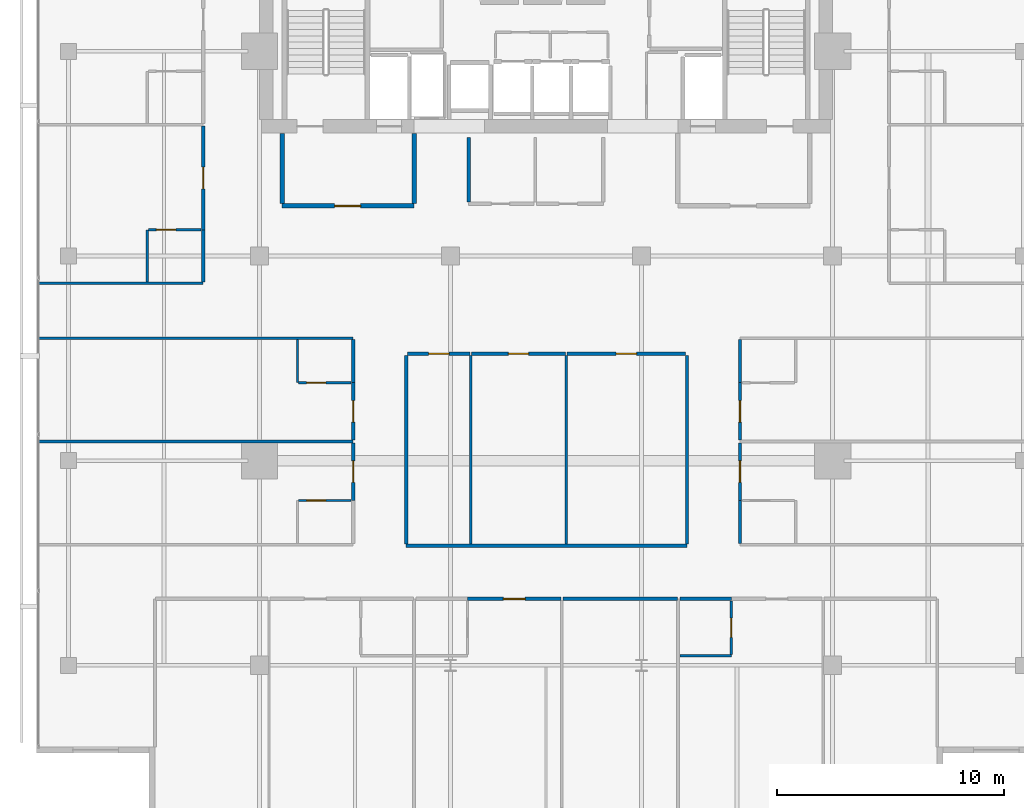
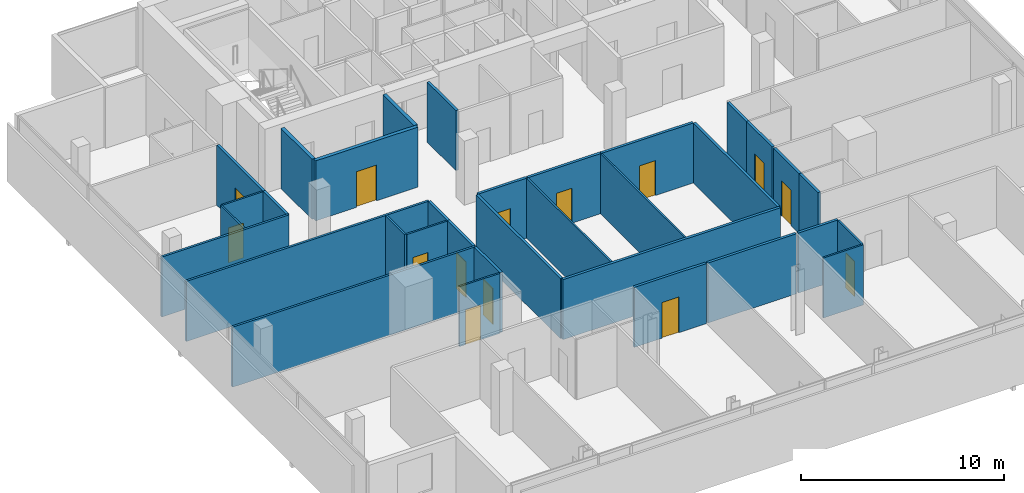
# One storey, part 20 of 26: 34 walls, 14 doors, 14 openings.
"""IFC4 building model written with IfcOpenShell, lengths in metres."""

from ifc_helpers import new_model, si_unit, direction, frame, frame_2d, origin, place, context, subcontext, project, spatial, rectangle, extrude, material, layer, layer_set, type_object, element, fill, save


model = new_model("IFC4")

# Units and contexts
model_context = context("Model", 3, precision=1e-05, world=origin(), true_north=direction((0.0, 1.0)))
body_context = subcontext(model_context, "Body", "Model", "MODEL_VIEW")
ifc_project = project(units=[si_unit("LENGTHUNIT", "METRE"), si_unit("AREAUNIT", "SQUARE_METRE"), si_unit("VOLUMEUNIT", "CUBIC_METRE"), si_unit("PLANEANGLEUNIT", "RADIAN"), si_unit("MASSUNIT", "GRAM", prefix="KILO")], contexts=[model_context])

# Site, building, storey
site_placement = place(None, origin())
site = spatial("IfcSite", under=ifc_project, at=site_placement, CompositionType="ELEMENT")
building_placement = place(site_placement, origin())
building = spatial("IfcBuilding", under=site, at=building_placement, Name="Maruvema Waterfront Hotel and Observation Tower", CompositionType="ELEMENT")
storey_placement = place(building_placement, frame((0.0, 0.0, 301.0)))
storey = spatial("IfcBuildingStorey", under=building, at=storey_placement, Name="L74", CompositionType="ELEMENT", Elevation=301.0)

# Walls
ifc_material_1 = material(Name="Twin-stud acoustic gypsum drywall", Category="gypsum")
ifc_layer_1 = layer(ifc_material_1, 0.14990234375, Name="Acoustic Corridor and Suite Demising Wall 150 mm")
ifc_layer_set_1 = layer_set([ifc_layer_1], Name="Twin-stud acoustic gypsum drywall")
wall_type_1 = type_object("IfcWallType", Name="Acoustic Corridor and Suite Demising Wall 150 mm", PredefinedType="PARTITIONING", material=ifc_layer_set_1)
wall_1_placement = place(storey_placement, frame((34.39990234375, 38.3798828125, 0.0), z_axis=(0.0, 0.0, 1.0), x_axis=(0.0, 1.0, 0.0)))
element("IfcWall", 1, at=wall_1_placement, inside=storey, type_object=wall_type_1, Name="L74 Core Apron K2 West 028", PredefinedType="PARTITIONING", context=body_context, shape_type="SweptSolid", body=[
    extrude(rectangle(XDim=2.840087890625, YDim=0.14990234375, at=frame_2d((1.419921875, 0.0))), origin(), (0.0, 0.0, 1.0), 3.610107421875),
])
wall_2_placement = place(storey_placement, frame((31.64990234375, 23.25, 0.0), z_axis=(0.0, 0.0, 1.0), x_axis=(1.0, 0.0, 0.0)))
element("IfcWall", 2, at=wall_2_placement, inside=storey, type_object=wall_type_1, Name="L74 L74-Z3M Back Wall 031", PredefinedType="PARTITIONING", context=body_context, shape_type="SweptSolid", body=[
    extrude(rectangle(XDim=12.35009765625, YDim=0.14990234375, at=frame_2d((6.175048828125, 0.0))), origin(), (0.0, 0.0, 1.0), 3.610107421875),
])
for number, where, z_axis, x_axis, name in (
    (3, (31.64990234375, 23.330078125, 0.0), (0.0, 0.0, 1.0), (0.0, 1.0, 0.0), "L74 L74-Z3M West Wall 032"),
    (4, (44.0, 23.330078125, 0.0), (0.0, 0.0, 1.0), (0.0, 1.0, 0.0), "L74 L74-Z3M East Wall 033"),
):
    element("IfcWall", number, at=place(storey_placement, frame(where, z_axis=z_axis, x_axis=x_axis)), inside=storey, type_object=wall_type_1, Name=name, PredefinedType="PARTITIONING", context=body_context, shape_type="SweptSolid", body=[
        extrude(rectangle(XDim=8.2900390625, YDim=0.14990234375, at=frame_2d((4.14501953125, 0.0))), origin(), (0.0, 0.0, 1.0), 3.610107421875),
    ])

# Wall, opening, door
wall_3_placement = place(storey_placement, frame((31.7099609375, 31.699951171875, 0.0), z_axis=(0.0, 0.0, 1.0), x_axis=(1.0, 0.0, 0.0)))
wall_3 = element("IfcWall", 5, at=wall_3_placement, inside=storey, type_object=wall_type_1, Name="L74 L74-Z3M Front 1 034", PredefinedType="PARTITIONING", context=body_context, shape_type="SweptSolid", body=[
    extrude(rectangle(XDim=2.75048828125, YDim=0.14990234375, at=frame_2d((1.375244140625, 0.0))), origin(), (0.0, 0.0, 1.0), 3.610107421875),
])
opening_1_placement = place(wall_3_placement, frame((0.92529296875, 0.0, 0.0)))
opening_1 = element("IfcOpeningElement", 6, at=opening_1_placement, cuts=wall_3, Name="Opening DR-090", PredefinedType="OPENING", context=body_context, shape_type="SweptSolid", body=[
    extrude(rectangle(XDim=0.89990234375, YDim=2.10009765625, at=frame_2d((0.449951171875, 1.050048828125))), frame((0.0, 0.0849609375, 0.0), z_axis=(0.0, -1.0, 0.0), x_axis=(1.0, 0.0, 0.0)), (0.0, 0.0, 1.0), 0.169921875),
])
ifc_material_2 = material(Name="Solid-core lacquered timber leaf", Category="wood")
door_type_1 = type_object("IfcDoorType", Name="Accessible Toilet and Room Door 900x2100 mm", OperationType="NOTDEFINED", PredefinedType="DOOR", material=ifc_material_2)
door_1_placement = place(opening_1_placement, origin())
door_1 = element("IfcDoor", 7, at=door_1_placement, inside=storey, type_object=door_type_1, Name="L74 Horizon Gallery Lounge 1 Door", OperationType="SINGLE_SWING_LEFT", OverallHeight=2.10009765625, OverallWidth=0.89990234375, PredefinedType="DOOR", context=body_context, shape_type="SweptSolid", body=[
    extrude(rectangle(XDim=0.89990234375, YDim=2.10009765625, at=frame_2d((0.449951171875, 1.050048828125))), frame((0.0, 0.02490234375, 0.0), z_axis=(0.0, -1.0, 0.0), x_axis=(1.0, 0.0, 0.0)), (0.0, 0.0, 1.0), 0.050048828125),
])
fill(opening_1, door_1)

wall_4_placement = place(storey_placement, frame((34.5205078125, 31.699951171875, 0.0), z_axis=(0.0, 0.0, 1.0), x_axis=(1.0, 0.0, 0.0)))
wall_4 = element("IfcWall", 8, at=wall_4_placement, inside=storey, type_object=wall_type_1, Name="L74 L74-Z3M Front 2 036", PredefinedType="PARTITIONING", context=body_context, shape_type="SweptSolid", body=[
    extrude(rectangle(XDim=4.138916015625, YDim=0.14990234375, at=frame_2d((2.0693359375, 0.0))), origin(), (0.0, 0.0, 1.0), 3.610107421875),
])
opening_2_placement = place(wall_4_placement, frame((1.619384765625, 0.0, 0.0)))
opening_2 = element("IfcOpeningElement", 9, at=opening_2_placement, cuts=wall_4, Name="Opening DR-090", PredefinedType="OPENING", context=body_context, shape_type="SweptSolid", body=[
    extrude(rectangle(XDim=0.89990234375, YDim=2.10009765625, at=frame_2d((0.449951171875, 1.050048828125))), frame((0.0, 0.0849609375, 0.0), z_axis=(0.0, -1.0, 0.0), x_axis=(1.0, 0.0, 0.0)), (0.0, 0.0, 1.0), 0.169921875),
])
door_2_placement = place(opening_2_placement, origin())
door_2 = element("IfcDoor", 10, at=door_2_placement, inside=storey, type_object=door_type_1, Name="L74 Horizon Gallery Lounge 2 Door", OperationType="SINGLE_SWING_RIGHT", OverallHeight=2.10009765625, OverallWidth=0.89990234375, PredefinedType="DOOR", context=body_context, shape_type="SweptSolid", body=[
    extrude(rectangle(XDim=0.89990234375, YDim=2.10009765625, at=frame_2d((0.449951171875, 1.050048828125))), frame((0.0, 0.02490234375, 0.0), z_axis=(0.0, -1.0, 0.0), x_axis=(1.0, 0.0, 0.0)), (0.0, 0.0, 1.0), 0.050048828125),
])
fill(opening_2, door_2)

wall_5_placement = place(storey_placement, frame((38.719482421875, 31.699951171875, 0.0), z_axis=(0.0, 0.0, 1.0), x_axis=(1.0, 0.0, 0.0)))
wall_5 = element("IfcWall", 11, at=wall_5_placement, inside=storey, type_object=wall_type_1, Name="L74 L74-Z3M Front 3 038", PredefinedType="PARTITIONING", context=body_context, shape_type="SweptSolid", body=[
    extrude(rectangle(XDim=5.220458984375, YDim=0.14990234375, at=frame_2d((2.6103515625, 0.0))), origin(), (0.0, 0.0, 1.0), 3.610107421875),
])
opening_3_placement = place(wall_5_placement, frame((2.160400390625, 0.0, 0.0)))
opening_3 = element("IfcOpeningElement", 12, at=opening_3_placement, cuts=wall_5, Name="Opening DR-090", PredefinedType="OPENING", context=body_context, shape_type="SweptSolid", body=[
    extrude(rectangle(XDim=0.89990234375, YDim=2.10009765625, at=frame_2d((0.449951171875, 1.050048828125))), frame((0.0, 0.0849609375, 0.0), z_axis=(0.0, -1.0, 0.0), x_axis=(1.0, 0.0, 0.0)), (0.0, 0.0, 1.0), 0.169921875),
])
door_3_placement = place(opening_3_placement, origin())
door_3 = element("IfcDoor", 13, at=door_3_placement, inside=storey, type_object=door_type_1, Name="L74 Butler Kitchen Door", OperationType="SINGLE_SWING_LEFT", OverallHeight=2.10009765625, OverallWidth=0.89990234375, PredefinedType="DOOR", context=body_context, shape_type="SweptSolid", body=[
    extrude(rectangle(XDim=0.89990234375, YDim=2.10009765625, at=frame_2d((0.449951171875, 1.050048828125))), frame((0.0, 0.02490234375, 0.0), z_axis=(0.0, -1.0, 0.0), x_axis=(1.0, 0.0, 0.0)), (0.0, 0.0, 1.0), 0.050048828125),
])
fill(opening_3, door_3)

wall_6_placement = place(storey_placement, frame((34.35009765625, 20.919921875, 0.0), z_axis=(0.0, 0.0, 1.0), x_axis=(1.0, 0.0, 0.0)))
wall_6 = element("IfcWall", 14, at=wall_6_placement, inside=storey, type_object=wall_type_1, Name="L74 Unit L74-S2 Corridor Wall 051", PredefinedType="PARTITIONING", context=body_context, shape_type="SweptSolid", body=[
    extrude(rectangle(XDim=4.10595703125, YDim=0.14990234375, at=frame_2d((2.052978515625, 0.0))), origin(), (0.0, 0.0, 1.0), 3.610107421875),
])
opening_4_placement = place(wall_6_placement, frame((1.577880859375, 0.0, 0.0)))
opening_4 = element("IfcOpeningElement", 15, at=opening_4_placement, cuts=wall_6, Name="Opening DR-095", PredefinedType="OPENING", context=body_context, shape_type="SweptSolid", body=[
    extrude(rectangle(XDim=0.949951171875, YDim=2.14990234375, at=frame_2d((0.47509765625, 1.074951171875))), frame((0.0, 0.0849609375, 0.0), z_axis=(0.0, -1.0, 0.0), x_axis=(1.0, 0.0, 0.0)), (0.0, 0.0, 1.0), 0.169921875),
])
ifc_material_3 = material(Name="Acoustic solid-core hardwood timber leaf", Category="wood")
door_type_2 = type_object("IfcDoorType", Name="Guestroom Entrance Fire Door 950x2150 mm", OperationType="NOTDEFINED", PredefinedType="DOOR", material=ifc_material_3)
door_4_placement = place(opening_4_placement, frame((0.949951171875, 0.0, 0.0), z_axis=(0.0, 0.0, 1.0), x_axis=(-1.0, 0.0, 0.0)))
door_4 = element("IfcDoor", 16, at=door_4_placement, inside=storey, type_object=door_type_2, Name="L74 Unit L74-S2 Entrance Door", OperationType="SINGLE_SWING_RIGHT", OverallHeight=2.14990234375, OverallWidth=0.949951171875, PredefinedType="DOOR", context=body_context, shape_type="SweptSolid", body=[
    extrude(rectangle(XDim=0.949951171875, YDim=2.14990234375, at=frame_2d((0.47509765625, 1.074951171875))), frame((0.0, 0.02490234375, 0.0), z_axis=(0.0, -1.0, 0.0), x_axis=(1.0, 0.0, 0.0)), (0.0, 0.0, 1.0), 0.050048828125),
])
fill(opening_4, door_4)

# Walls
wall_7_placement = place(storey_placement, frame((38.535888671875, 20.919921875, 0.0), z_axis=(0.0, 0.0, 1.0), x_axis=(1.0, 0.0, 0.0)))
element("IfcWall", 17, at=wall_7_placement, inside=storey, type_object=wall_type_1, Name="L74 Bedroom L74-S2 Back Wall 052", PredefinedType="PARTITIONING", context=body_context, shape_type="SweptSolid", body=[
    extrude(rectangle(XDim=5.044189453125, YDim=0.14990234375, at=frame_2d((2.52197265625, 0.0))), origin(), (0.0, 0.0, 1.0), 3.610107421875),
])
wall_8_placement = place(storey_placement, frame((43.679931640625, 20.919921875, 0.0), z_axis=(0.0, 0.0, 1.0), x_axis=(1.0, 0.0, 0.0)))
element("IfcWall", 18, at=wall_8_placement, inside=storey, type_object=wall_type_1, Name="L74 Bath L74-S3 Back Wall 055", PredefinedType="PARTITIONING", context=body_context, shape_type="SweptSolid", body=[
    extrude(rectangle(XDim=2.27001953125, YDim=0.14990234375, at=frame_2d((1.135009765625, 0.0))), origin(), (0.0, 0.0, 1.0), 3.610107421875),
])

# Wall, opening, door
wall_9_placement = place(storey_placement, frame((29.320068359375, 25.25, 0.0), z_axis=(0.0, 0.0, 1.0), x_axis=(0.0, 1.0, 0.0)))
wall_9 = element("IfcWall", 19, at=wall_9_placement, inside=storey, type_object=wall_type_1, Name="L74 Room L74-W1 Corridor Wall 066", PredefinedType="PARTITIONING", context=body_context, shape_type="SweptSolid", body=[
    extrude(rectangle(XDim=2.530029296875, YDim=0.14990234375, at=frame_2d((1.26513671875, 0.0))), origin(), (0.0, 0.0, 1.0), 3.610107421875),
])
opening_5_placement = place(wall_9_placement, frame((0.7900390625, 0.0, 0.0)))
opening_5 = element("IfcOpeningElement", 20, at=opening_5_placement, cuts=wall_9, Name="Opening DR-095", PredefinedType="OPENING", context=body_context, shape_type="SweptSolid", body=[
    extrude(rectangle(XDim=0.949951171875, YDim=2.14990234375, at=frame_2d((0.47509765625, 1.074951171875))), frame((0.0, 0.0849609375, 0.0), z_axis=(0.0, -1.0, 0.0), x_axis=(1.0, 0.0, 0.0)), (0.0, 0.0, 1.0), 0.169921875),
])
door_5_placement = place(opening_5_placement, origin())
door_5 = element("IfcDoor", 21, at=door_5_placement, inside=storey, type_object=door_type_2, Name="L74 Room L74-W1 Entrance Door", OperationType="SINGLE_SWING_RIGHT", OverallHeight=2.14990234375, OverallWidth=0.949951171875, PredefinedType="DOOR", context=body_context, shape_type="SweptSolid", body=[
    extrude(rectangle(XDim=0.949951171875, YDim=2.14990234375, at=frame_2d((0.47509765625, 1.074951171875))), frame((0.0, 0.02490234375, 0.0), z_axis=(0.0, -1.0, 0.0), x_axis=(1.0, 0.0, 0.0)), (0.0, 0.0, 1.0), 0.050048828125),
])
fill(opening_5, door_5)

# Wall
wall_10_placement = place(storey_placement, frame((46.330078125, 23.360107421875, 0.0), z_axis=(0.0, 0.0, 1.0), x_axis=(0.0, 1.0, 0.0)))
element("IfcWall", 22, at=wall_10_placement, inside=storey, type_object=wall_type_1, Name="L74 Bath L74-E1 Wall 069", PredefinedType="PARTITIONING", context=body_context, shape_type="SweptSolid", body=[
    extrude(rectangle(XDim=1.889892578125, YDim=0.14990234375, at=frame_2d((0.94482421875, 0.0))), origin(), (0.0, 0.0, 1.0), 3.610107421875),
])

# Wall, opening, door
wall_11_placement = place(storey_placement, frame((46.330078125, 25.25, 0.0), z_axis=(0.0, 0.0, 1.0), x_axis=(0.0, 1.0, 0.0)))
wall_11 = element("IfcWall", 23, at=wall_11_placement, inside=storey, type_object=wall_type_1, Name="L74 Room L74-E1 Corridor Wall 070", PredefinedType="PARTITIONING", context=body_context, shape_type="SweptSolid", body=[
    extrude(rectangle(XDim=2.530029296875, YDim=0.14990234375, at=frame_2d((1.26513671875, 0.0))), origin(), (0.0, 0.0, 1.0), 3.610107421875),
])
opening_6_placement = place(wall_11_placement, frame((0.7900390625, 0.0, 0.0)))
opening_6 = element("IfcOpeningElement", 24, at=opening_6_placement, cuts=wall_11, Name="Opening DR-095", PredefinedType="OPENING", context=body_context, shape_type="SweptSolid", body=[
    extrude(rectangle(XDim=0.949951171875, YDim=2.14990234375, at=frame_2d((0.47509765625, 1.074951171875))), frame((0.0, 0.0849609375, 0.0), z_axis=(0.0, -1.0, 0.0), x_axis=(1.0, 0.0, 0.0)), (0.0, 0.0, 1.0), 0.169921875),
])
door_6_placement = place(opening_6_placement, frame((0.949951171875, 0.0, 0.0), z_axis=(0.0, 0.0, 1.0), x_axis=(-1.0, 0.0, 0.0)))
door_6 = element("IfcDoor", 25, at=door_6_placement, inside=storey, type_object=door_type_2, Name="L74 Room L74-E1 Entrance Door", OperationType="SINGLE_SWING_RIGHT", OverallHeight=2.14990234375, OverallWidth=0.949951171875, PredefinedType="DOOR", context=body_context, shape_type="SweptSolid", body=[
    extrude(rectangle(XDim=0.949951171875, YDim=2.14990234375, at=frame_2d((0.47509765625, 1.074951171875))), frame((0.0, 0.02490234375, 0.0), z_axis=(0.0, -1.0, 0.0), x_axis=(1.0, 0.0, 0.0)), (0.0, 0.0, 1.0), 0.050048828125),
])
fill(opening_6, door_6)

wall_12_placement = place(storey_placement, frame((29.320068359375, 27.89990234375, 0.0), z_axis=(0.0, 0.0, 1.0), x_axis=(0.0, 1.0, 0.0)))
wall_12 = element("IfcWall", 26, at=wall_12_placement, inside=storey, type_object=wall_type_1, Name="L74 Room L74-W2 Corridor Wall 075", PredefinedType="PARTITIONING", context=body_context, shape_type="SweptSolid", body=[
    extrude(rectangle(XDim=2.530029296875, YDim=0.14990234375, at=frame_2d((1.26513671875, 0.0))), origin(), (0.0, 0.0, 1.0), 3.610107421875),
])
opening_7_placement = place(wall_12_placement, frame((0.7900390625, 0.0, 0.0)))
opening_7 = element("IfcOpeningElement", 27, at=opening_7_placement, cuts=wall_12, Name="Opening DR-095", PredefinedType="OPENING", context=body_context, shape_type="SweptSolid", body=[
    extrude(rectangle(XDim=0.949951171875, YDim=2.14990234375, at=frame_2d((0.47509765625, 1.074951171875))), frame((0.0, 0.0849609375, 0.0), z_axis=(0.0, -1.0, 0.0), x_axis=(1.0, 0.0, 0.0)), (0.0, 0.0, 1.0), 0.169921875),
])
door_7_placement = place(opening_7_placement, origin())
door_7 = element("IfcDoor", 28, at=door_7_placement, inside=storey, type_object=door_type_2, Name="L74 Room L74-W2 Entrance Door", OperationType="SINGLE_SWING_RIGHT", OverallHeight=2.14990234375, OverallWidth=0.949951171875, PredefinedType="DOOR", context=body_context, shape_type="SweptSolid", body=[
    extrude(rectangle(XDim=0.949951171875, YDim=2.14990234375, at=frame_2d((0.47509765625, 1.074951171875))), frame((0.0, 0.02490234375, 0.0), z_axis=(0.0, -1.0, 0.0), x_axis=(1.0, 0.0, 0.0)), (0.0, 0.0, 1.0), 0.050048828125),
])
fill(opening_7, door_7)

# Wall
wall_13_placement = place(storey_placement, frame((29.320068359375, 30.429931640625, 0.0), z_axis=(0.0, 0.0, 1.0), x_axis=(0.0, 1.0, 0.0)))
element("IfcWall", 29, at=wall_13_placement, inside=storey, type_object=wall_type_1, Name="L74 Bath L74-W2 Wall 076", PredefinedType="PARTITIONING", context=body_context, shape_type="SweptSolid", body=[
    extrude(rectangle(XDim=1.89013671875, YDim=0.14990234375, at=frame_2d((0.945068359375, 0.0))), origin(), (0.0, 0.0, 1.0), 3.610107421875),
])

# Wall, opening, door
wall_14_placement = place(storey_placement, frame((46.330078125, 27.89990234375, 0.0), z_axis=(0.0, 0.0, 1.0), x_axis=(0.0, 1.0, 0.0)))
wall_14 = element("IfcWall", 30, at=wall_14_placement, inside=storey, type_object=wall_type_1, Name="L74 Room L74-E2 Corridor Wall 079", PredefinedType="PARTITIONING", context=body_context, shape_type="SweptSolid", body=[
    extrude(rectangle(XDim=2.530029296875, YDim=0.14990234375, at=frame_2d((1.26513671875, 0.0))), origin(), (0.0, 0.0, 1.0), 3.610107421875),
])
opening_8_placement = place(wall_14_placement, frame((0.7900390625, 0.0, 0.0)))
opening_8 = element("IfcOpeningElement", 31, at=opening_8_placement, cuts=wall_14, Name="Opening DR-095", PredefinedType="OPENING", context=body_context, shape_type="SweptSolid", body=[
    extrude(rectangle(XDim=0.949951171875, YDim=2.14990234375, at=frame_2d((0.47509765625, 1.074951171875))), frame((0.0, 0.0849609375, 0.0), z_axis=(0.0, -1.0, 0.0), x_axis=(1.0, 0.0, 0.0)), (0.0, 0.0, 1.0), 0.169921875),
])
door_8_placement = place(opening_8_placement, frame((0.949951171875, 0.0, 0.0), z_axis=(0.0, 0.0, 1.0), x_axis=(-1.0, 0.0, 0.0)))
door_8 = element("IfcDoor", 32, at=door_8_placement, inside=storey, type_object=door_type_2, Name="L74 Room L74-E2 Entrance Door", OperationType="SINGLE_SWING_RIGHT", OverallHeight=2.14990234375, OverallWidth=0.949951171875, PredefinedType="DOOR", context=body_context, shape_type="SweptSolid", body=[
    extrude(rectangle(XDim=0.949951171875, YDim=2.14990234375, at=frame_2d((0.47509765625, 1.074951171875))), frame((0.0, 0.02490234375, 0.0), z_axis=(0.0, -1.0, 0.0), x_axis=(1.0, 0.0, 0.0)), (0.0, 0.0, 1.0), 0.050048828125),
])
fill(opening_8, door_8)

# Walls
wall_15_placement = place(storey_placement, frame((46.330078125, 30.429931640625, 0.0), z_axis=(0.0, 0.0, 1.0), x_axis=(0.0, 1.0, 0.0)))
element("IfcWall", 33, at=wall_15_placement, inside=storey, type_object=wall_type_1, Name="L74 Bath L74-E2 Wall 080", PredefinedType="PARTITIONING", context=body_context, shape_type="SweptSolid", body=[
    extrude(rectangle(XDim=1.89013671875, YDim=0.14990234375, at=frame_2d((0.945068359375, 0.0))), origin(), (0.0, 0.0, 1.0), 3.610107421875),
])
wall_16_placement = place(storey_placement, frame((22.719970703125, 34.860107421875, 0.0), z_axis=(0.0, 0.0, 1.0), x_axis=(0.0, 1.0, 0.0)))
element("IfcWall", 34, at=wall_16_placement, inside=storey, type_object=wall_type_1, Name="L74 Bath L74-NW1 Wall 087", PredefinedType="PARTITIONING", context=body_context, shape_type="SweptSolid", body=[
    extrude(rectangle(XDim=2.289794921875, YDim=0.14990234375, at=frame_2d((1.14501953125, 0.0))), origin(), (0.0, 0.0, 1.0), 3.610107421875),
])

# Wall, opening, door
wall_17_placement = place(storey_placement, frame((22.719970703125, 37.14990234375, 0.0), z_axis=(0.0, 0.0, 1.0), x_axis=(0.0, 1.0, 0.0)))
wall_17 = element("IfcWall", 35, at=wall_17_placement, inside=storey, type_object=wall_type_1, Name="L74 Room L74-NW1 Corridor Wall 088", PredefinedType="PARTITIONING", context=body_context, shape_type="SweptSolid", body=[
    extrude(rectangle(XDim=4.558837890625, YDim=0.14990234375, at=frame_2d((2.279296875, 0.0))), origin(), (0.0, 0.0, 1.0), 3.610107421875),
])
opening_9_placement = place(wall_17_placement, frame((1.804443359375, 0.0, 0.0)))
opening_9 = element("IfcOpeningElement", 36, at=opening_9_placement, cuts=wall_17, Name="Opening DR-095", PredefinedType="OPENING", context=body_context, shape_type="SweptSolid", body=[
    extrude(rectangle(XDim=0.949951171875, YDim=2.14990234375, at=frame_2d((0.47509765625, 1.074951171875))), frame((0.0, 0.0849609375, 0.0), z_axis=(0.0, -1.0, 0.0), x_axis=(1.0, 0.0, 0.0)), (0.0, 0.0, 1.0), 0.169921875),
])
door_9_placement = place(opening_9_placement, origin())
door_9 = element("IfcDoor", 37, at=door_9_placement, inside=storey, type_object=door_type_2, Name="L74 Room L74-NW1 Entrance Door", OperationType="SINGLE_SWING_RIGHT", OverallHeight=2.14990234375, OverallWidth=0.949951171875, PredefinedType="DOOR", context=body_context, shape_type="SweptSolid", body=[
    extrude(rectangle(XDim=0.949951171875, YDim=2.14990234375, at=frame_2d((0.47509765625, 1.074951171875))), frame((0.0, 0.02490234375, 0.0), z_axis=(0.0, -1.0, 0.0), x_axis=(1.0, 0.0, 0.0)), (0.0, 0.0, 1.0), 0.050048828125),
])
fill(opening_9, door_9)

# Walls
ifc_material_4 = material(Name="Moisture-resistant cement-board drywall", Category="gypsum")
ifc_layer_2 = layer(ifc_material_4, 0.10009765625, Name="En-Suite Moisture-Resistant Partition 100 mm")
ifc_layer_set_2 = layer_set([ifc_layer_2], Name="Moisture-resistant cement-board drywall")
wall_type_2 = type_object("IfcWallType", Name="En-Suite Moisture-Resistant Partition 100 mm", PredefinedType="PARTITIONING", material=ifc_layer_set_2)
for number, where, z_axis, x_axis, name in (
    (38, (34.490478515625, 23.330078125, 0.0), (0.0, 0.0, 1.0), (0.0, 1.0, 0.0), "L74 L74-Z3M Split 1 035"),
    (39, (38.689453125, 23.330078125, 0.0), (0.0, 0.0, 1.0), (0.0, 1.0, 0.0), "L74 L74-Z3M Split 2 037"),
):
    element("IfcWall", number, at=place(storey_placement, frame(where, z_axis=z_axis, x_axis=x_axis)), inside=storey, type_object=wall_type_2, Name=name, PredefinedType="PARTITIONING", context=body_context, shape_type="SweptSolid", body=[
        extrude(rectangle(XDim=8.2900390625, YDim=0.10009765625, at=frame_2d((4.14501953125, 0.0))), origin(), (0.0, 0.0, 1.0), 3.610107421875),
    ])
wall_18_placement = place(storey_placement, frame((43.679931640625, 18.419921875, 0.0), z_axis=(0.0, 0.0, 1.0), x_axis=(1.0, 0.0, 0.0)))
element("IfcWall", 40, at=wall_18_placement, inside=storey, type_object=wall_type_2, Name="L74 En-Suite L74-S3 South 056", PredefinedType="PARTITIONING", context=body_context, shape_type="SweptSolid", body=[
    extrude(rectangle(XDim=2.27001953125, YDim=0.10009765625, at=frame_2d((1.135009765625, 0.0))), origin(), (0.0, 0.0, 1.0), 3.610107421875),
])

# Wall, opening, door
wall_19_placement = place(storey_placement, frame((45.949951171875, 18.47998046875, 0.0), z_axis=(0.0, 0.0, 1.0), x_axis=(0.0, 1.0, 0.0)))
wall_19 = element("IfcWall", 41, at=wall_19_placement, inside=storey, type_object=wall_type_2, Name="L74 En-Suite L74-S3 East 057", PredefinedType="PARTITIONING", context=body_context, shape_type="SweptSolid", body=[
    extrude(rectangle(XDim=2.340087890625, YDim=0.10009765625, at=frame_2d((1.169921875, 0.0))), origin(), (0.0, 0.0, 1.0), 3.610107421875),
])
opening_10_placement = place(wall_19_placement, frame((0.7451171875, 0.0, 0.0)))
opening_10 = element("IfcOpeningElement", 42, at=opening_10_placement, cuts=wall_19, Name="Opening DR-085", PredefinedType="OPENING", context=body_context, shape_type="SweptSolid", body=[
    extrude(rectangle(XDim=0.85009765625, YDim=2.10009765625, at=frame_2d((0.425048828125, 1.050048828125))), frame((0.0, 0.06005859375, 0.0), z_axis=(0.0, -1.0, 0.0), x_axis=(1.0, 0.0, 0.0)), (0.0, 0.0, 1.0), 0.1201171875),
])
ifc_material_5 = material(Name="Moisture-resistant solid timber leaf", Category="wood")
door_type_3 = type_object("IfcDoorType", Name="En-Suite Bathroom Door 850x2100 mm", OperationType="NOTDEFINED", PredefinedType="DOOR", material=ifc_material_5)
door_10_placement = place(opening_10_placement, frame((0.85009765625, 0.0, 0.0), z_axis=(0.0, 0.0, 1.0), x_axis=(-1.0, 0.0, 0.0)))
door_10 = element("IfcDoor", 43, at=door_10_placement, inside=storey, type_object=door_type_3, Name="L74 En-Suite L74-S3 Door", OperationType="SINGLE_SWING_RIGHT", OverallHeight=2.10009765625, OverallWidth=0.85009765625, PredefinedType="DOOR", context=body_context, shape_type="SweptSolid", body=[
    extrude(rectangle(XDim=0.85009765625, YDim=2.10009765625, at=frame_2d((0.425048828125, 1.050048828125))), frame((0.0, 0.02490234375, 0.0), z_axis=(0.0, -1.0, 0.0), x_axis=(1.0, 0.0, 0.0)), (0.0, 0.0, 1.0), 0.050048828125),
])
fill(opening_10, door_10)

wall_20_placement = place(storey_placement, frame((26.919921875, 25.25, 0.0), z_axis=(0.0, 0.0, 1.0), x_axis=(1.0, 0.0, 0.0)))
wall_20 = element("IfcWall", 44, at=wall_20_placement, inside=storey, type_object=wall_type_2, Name="L74 En-Suite L74-W1 N 068", PredefinedType="PARTITIONING", context=body_context, shape_type="SweptSolid", body=[
    extrude(rectangle(XDim=2.300048828125, YDim=0.10009765625, at=frame_2d((1.14990234375, 0.0))), origin(), (0.0, 0.0, 1.0), 3.610107421875),
])
opening_11_placement = place(wall_20_placement, frame((0.35009765625, 0.0, 0.0)))
opening_11 = element("IfcOpeningElement", 45, at=opening_11_placement, cuts=wall_20, Name="Opening DR-085", PredefinedType="OPENING", context=body_context, shape_type="SweptSolid", body=[
    extrude(rectangle(XDim=0.85009765625, YDim=2.10009765625, at=frame_2d((0.425048828125, 1.050048828125))), frame((0.0, 0.06005859375, 0.0), z_axis=(0.0, -1.0, 0.0), x_axis=(1.0, 0.0, 0.0)), (0.0, 0.0, 1.0), 0.1201171875),
])
door_11_placement = place(opening_11_placement, origin())
door_11 = element("IfcDoor", 46, at=door_11_placement, inside=storey, type_object=door_type_3, Name="L74 En-Suite L74-W1 Door", OperationType="SINGLE_SWING_LEFT", OverallHeight=2.10009765625, OverallWidth=0.85009765625, PredefinedType="DOOR", context=body_context, shape_type="SweptSolid", body=[
    extrude(rectangle(XDim=0.85009765625, YDim=2.10009765625, at=frame_2d((0.425048828125, 1.050048828125))), frame((0.0, 0.02490234375, 0.0), z_axis=(0.0, -1.0, 0.0), x_axis=(1.0, 0.0, 0.0)), (0.0, 0.0, 1.0), 0.050048828125),
])
fill(opening_11, door_11)

# Wall
wall_21_placement = place(storey_placement, frame((26.8701171875, 30.429931640625, 0.0), z_axis=(0.0, 0.0, 1.0), x_axis=(0.0, 1.0, 0.0)))
element("IfcWall", 47, at=wall_21_placement, inside=storey, type_object=wall_type_2, Name="L74 En-Suite L74-W2 W 077", PredefinedType="PARTITIONING", context=body_context, shape_type="SweptSolid", body=[
    extrude(rectangle(XDim=1.89013671875, YDim=0.10009765625, at=frame_2d((0.945068359375, 0.0))), origin(), (0.0, 0.0, 1.0), 3.610107421875),
])

# Wall, opening, door
wall_22_placement = place(storey_placement, frame((26.919921875, 30.429931640625, 0.0), z_axis=(0.0, 0.0, 1.0), x_axis=(1.0, 0.0, 0.0)))
wall_22 = element("IfcWall", 48, at=wall_22_placement, inside=storey, type_object=wall_type_2, Name="L74 En-Suite L74-W2 S 078", PredefinedType="PARTITIONING", context=body_context, shape_type="SweptSolid", body=[
    extrude(rectangle(XDim=2.300048828125, YDim=0.10009765625, at=frame_2d((1.14990234375, 0.0))), origin(), (0.0, 0.0, 1.0), 3.610107421875),
])
opening_12_placement = place(wall_22_placement, frame((0.35009765625, 0.0, 0.0)))
opening_12 = element("IfcOpeningElement", 49, at=opening_12_placement, cuts=wall_22, Name="Opening DR-085", PredefinedType="OPENING", context=body_context, shape_type="SweptSolid", body=[
    extrude(rectangle(XDim=0.85009765625, YDim=2.10009765625, at=frame_2d((0.425048828125, 1.050048828125))), frame((0.0, 0.06005859375, 0.0), z_axis=(0.0, -1.0, 0.0), x_axis=(1.0, 0.0, 0.0)), (0.0, 0.0, 1.0), 0.1201171875),
])
door_12_placement = place(opening_12_placement, frame((0.85009765625, 0.0, 0.0), z_axis=(0.0, 0.0, 1.0), x_axis=(-1.0, 0.0, 0.0)))
door_12 = element("IfcDoor", 50, at=door_12_placement, inside=storey, type_object=door_type_3, Name="L74 En-Suite L74-W2 Door", OperationType="SINGLE_SWING_LEFT", OverallHeight=2.10009765625, OverallWidth=0.85009765625, PredefinedType="DOOR", context=body_context, shape_type="SweptSolid", body=[
    extrude(rectangle(XDim=0.85009765625, YDim=2.10009765625, at=frame_2d((0.425048828125, 1.050048828125))), frame((0.0, 0.02490234375, 0.0), z_axis=(0.0, -1.0, 0.0), x_axis=(1.0, 0.0, 0.0)), (0.0, 0.0, 1.0), 0.050048828125),
])
fill(opening_12, door_12)

# Wall
wall_23_placement = place(storey_placement, frame((20.27001953125, 34.860107421875, 0.0), z_axis=(0.0, 0.0, 1.0), x_axis=(0.0, 1.0, 0.0)))
element("IfcWall", 51, at=wall_23_placement, inside=storey, type_object=wall_type_2, Name="L74 En-Suite L74-NW1 W 089", PredefinedType="PARTITIONING", context=body_context, shape_type="SweptSolid", body=[
    extrude(rectangle(XDim=2.289794921875, YDim=0.10009765625, at=frame_2d((1.14501953125, 0.0))), origin(), (0.0, 0.0, 1.0), 3.610107421875),
])

# Wall, opening, door
wall_24_placement = place(storey_placement, frame((20.320068359375, 37.14990234375, 0.0), z_axis=(0.0, 0.0, 1.0), x_axis=(1.0, 0.0, 0.0)))
wall_24 = element("IfcWall", 52, at=wall_24_placement, inside=storey, type_object=wall_type_2, Name="L74 En-Suite L74-NW1 N 090", PredefinedType="PARTITIONING", context=body_context, shape_type="SweptSolid", body=[
    extrude(rectangle(XDim=2.300048828125, YDim=0.10009765625, at=frame_2d((1.14990234375, 0.0))), origin(), (0.0, 0.0, 1.0), 3.610107421875),
])
opening_13_placement = place(wall_24_placement, frame((0.35009765625, 0.0, 0.0)))
opening_13 = element("IfcOpeningElement", 53, at=opening_13_placement, cuts=wall_24, Name="Opening DR-085", PredefinedType="OPENING", context=body_context, shape_type="SweptSolid", body=[
    extrude(rectangle(XDim=0.85009765625, YDim=2.10009765625, at=frame_2d((0.425048828125, 1.050048828125))), frame((0.0, 0.06005859375, 0.0), z_axis=(0.0, -1.0, 0.0), x_axis=(1.0, 0.0, 0.0)), (0.0, 0.0, 1.0), 0.1201171875),
])
door_13_placement = place(opening_13_placement, origin())
door_13 = element("IfcDoor", 54, at=door_13_placement, inside=storey, type_object=door_type_3, Name="L74 En-Suite L74-NW1 Door", OperationType="SINGLE_SWING_LEFT", OverallHeight=2.10009765625, OverallWidth=0.85009765625, PredefinedType="DOOR", context=body_context, shape_type="SweptSolid", body=[
    extrude(rectangle(XDim=0.85009765625, YDim=2.10009765625, at=frame_2d((0.425048828125, 1.050048828125))), frame((0.0, 0.02490234375, 0.0), z_axis=(0.0, -1.0, 0.0), x_axis=(1.0, 0.0, 0.0)), (0.0, 0.0, 1.0), 0.050048828125),
])
fill(opening_13, door_13)

ifc_material_6 = material(Name="Autoclaved cellular concrete blockwork", Category="masonry")
ifc_layer_3 = layer(ifc_material_6, 0.199951171875, Name="Fire Compartment Masonry Wall 200 mm")
ifc_layer_set_3 = layer_set([ifc_layer_3], Name="Autoclaved cellular concrete blockwork")
wall_type_3 = type_object("IfcWallType", Name="Fire Compartment Masonry Wall 200 mm", PredefinedType="PARTITIONING", material=ifc_layer_set_3)
wall_25_placement = place(storey_placement, frame((26.199951171875, 38.199951171875, 0.0), z_axis=(0.0, 0.0, 1.0), x_axis=(1.0, 0.0, 0.0)))
wall_25 = element("IfcWall", 55, at=wall_25_placement, inside=storey, type_object=wall_type_3, Name="L74 FFL West South Wall 001", PredefinedType="PARTITIONING", context=body_context, shape_type="SweptSolid", body=[
    extrude(rectangle(XDim=5.800048828125, YDim=0.199951171875, at=frame_2d((2.89990234375, 0.0))), origin(), (0.0, 0.0, 1.0), 3.610107421875),
])
opening_14_placement = place(wall_25_placement, frame((2.300048828125, 0.0, 0.0)))
opening_14 = element("IfcOpeningElement", 56, at=opening_14_placement, cuts=wall_25, Name="Opening FD-115", PredefinedType="OPENING", context=body_context, shape_type="SweptSolid", body=[
    extrude(rectangle(XDim=1.14990234375, YDim=2.14990234375, at=frame_2d((0.574951171875, 1.074951171875))), frame((0.0, 0.10986328125, 0.0), z_axis=(0.0, -1.0, 0.0), x_axis=(1.0, 0.0, 0.0)), (0.0, 0.0, 1.0), 0.219970703125),
])
ifc_material_7 = material(Name="Fire-rated galvanised steel and vision glass", Category="steel")
door_type_4 = type_object("IfcDoorType", Name="Firefighting Lobby Fire Door 1150x2150 mm", OperationType="NOTDEFINED", PredefinedType="DOOR", material=ifc_material_7)
door_14_placement = place(opening_14_placement, frame((1.14990234375, 0.0, 0.0), z_axis=(0.0, 0.0, 1.0), x_axis=(-1.0, 0.0, 0.0)))
door_14 = element("IfcDoor", 57, at=door_14_placement, inside=storey, type_object=door_type_4, Name="L74 Firefighting Lobby West Door", OperationType="SINGLE_SWING_LEFT", OverallHeight=2.14990234375, OverallWidth=1.14990234375, PredefinedType="DOOR", context=body_context, shape_type="SweptSolid", body=[
    extrude(rectangle(XDim=1.14990234375, YDim=2.14990234375, at=frame_2d((0.574951171875, 1.074951171875))), frame((0.0, 0.02490234375, 0.0), z_axis=(0.0, -1.0, 0.0), x_axis=(1.0, 0.0, 0.0)), (0.0, 0.0, 1.0), 0.050048828125),
])
fill(opening_14, door_14)

# Walls
for number, where, z_axis, x_axis, name in (
    (58, (26.199951171875, 38.31005859375, 0.0), (0.0, 0.0, 1.0), (0.0, 1.0, 0.0), "L74 FFL West West Wall 002"),
    (59, (32.0, 38.31005859375, 0.0), (0.0, 0.0, 1.0), (0.0, 1.0, 0.0), "L74 FFL West East Wall 003"),
):
    element("IfcWall", number, at=place(storey_placement, frame(where, z_axis=z_axis, x_axis=x_axis)), inside=storey, type_object=wall_type_3, Name=name, PredefinedType="PARTITIONING", context=body_context, shape_type="SweptSolid", body=[
        extrude(rectangle(XDim=3.06982421875, YDim=0.199951171875, at=frame_2d((1.534912109375, 0.0))), origin(), (0.0, 0.0, 1.0), 3.610107421875),
    ])
ifc_material_8 = material(Name="Acoustic gypsum plasterboard drywall", Category="gypsum")
ifc_layer_4 = layer(ifc_material_8, 0.125, Name="Guestroom Acoustic Demising Wall 125 mm")
ifc_layer_set_4 = layer_set([ifc_layer_4], Name="Acoustic gypsum plasterboard drywall")
wall_type_4 = type_object("IfcWallType", Name="Guestroom Acoustic Demising Wall 125 mm", PredefinedType="PARTITIONING", material=ifc_layer_set_4)
for number, where, z_axis, x_axis, name in (
    (60, (15.5, 32.3798828125, 0.0), (0.0, 0.0, 1.0), (1.0, 0.0, 0.0), "L74 Z3 W Top End 063"),
    (61, (15.5, 27.840087890625, 0.0), (0.0, 0.0, 1.0), (1.0, 0.0, 0.0), "L74 Z3 W Demising 2 073"),
):
    element("IfcWall", number, at=place(storey_placement, frame(where, z_axis=z_axis, x_axis=x_axis)), inside=storey, type_object=wall_type_4, Name=name, PredefinedType="PARTITIONING", context=body_context, shape_type="SweptSolid", body=[
        extrude(rectangle(XDim=13.820068359375, YDim=0.125, at=frame_2d((6.91015625, 0.0))), origin(), (0.0, 0.0, 1.0), 3.610107421875),
    ])
wall_26_placement = place(storey_placement, frame((15.5, 34.800048828125, 0.0), z_axis=(0.0, 0.0, 1.0), x_axis=(1.0, 0.0, 0.0)))
element("IfcWall", 62, at=wall_26_placement, inside=storey, type_object=wall_type_4, Name="L74 Z3 NW Bot End 083", PredefinedType="PARTITIONING", context=body_context, shape_type="SweptSolid", body=[
    extrude(rectangle(XDim=7.219970703125, YDim=0.125, at=frame_2d((3.60986328125, 0.0))), origin(), (0.0, 0.0, 1.0), 3.610107421875),
])

save(model, "model.ifc")
